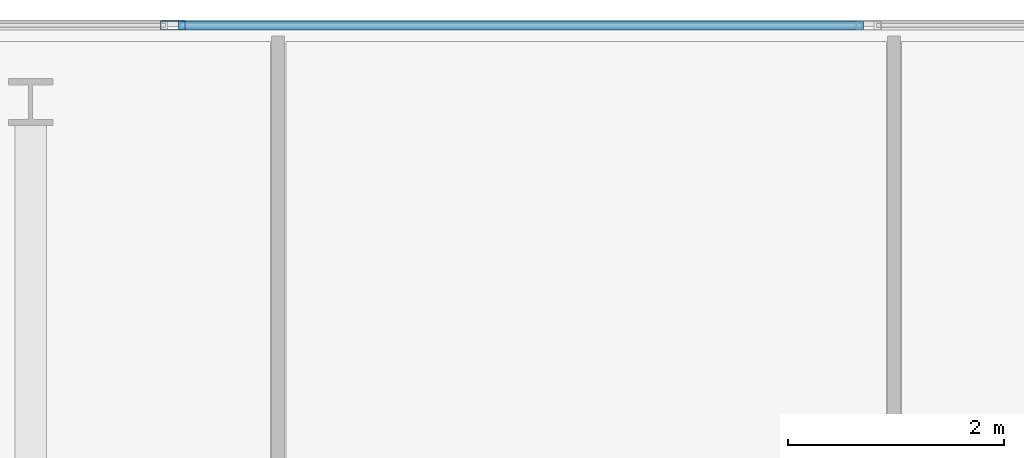
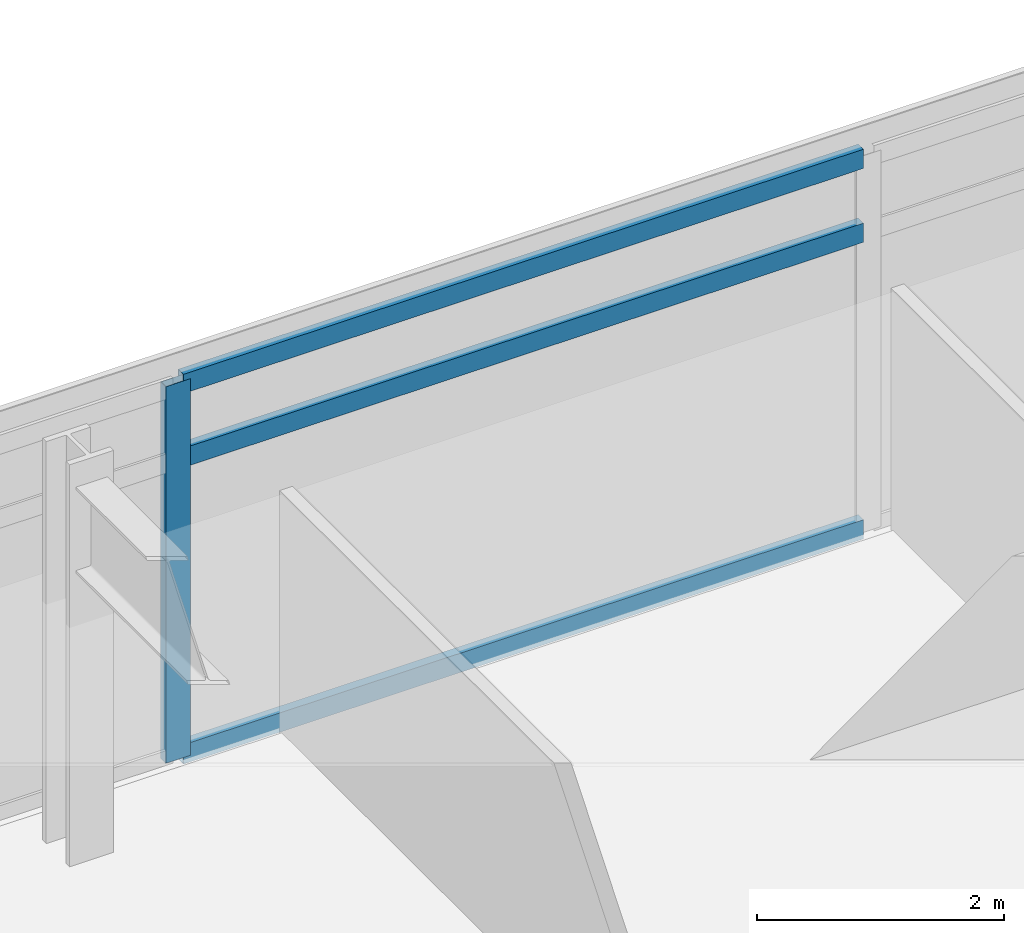
# One storey, part 9 of 24: 4 members, 1 element without a shape of its own.
"""IFC4 building model written with IfcOpenShell, lengths in metres."""

from ifc_helpers import new_model, si_unit, direction, frame, origin, origin_2d, place, context, subcontext, project, spatial, hollow_rectangle, extrude, material, material_profile, profile_set, type_object, element, aggregate, save


model = new_model("IFC4")

# Units and contexts
model_context = context("Model", 3, precision=1e-05, world=origin(), true_north=direction((0.0, 1.0)))
body_context = subcontext(model_context, "Body", "Model", "MODEL_VIEW")
ifc_project = project(units=[si_unit("LENGTHUNIT", "METRE"), si_unit("AREAUNIT", "SQUARE_METRE"), si_unit("VOLUMEUNIT", "CUBIC_METRE"), si_unit("PLANEANGLEUNIT", "RADIAN"), si_unit("MASSUNIT", "GRAM", prefix="KILO")], contexts=[model_context])

# Site, building, storey
site_placement = place(None, origin())
site = spatial("IfcSite", under=ifc_project, at=site_placement, CompositionType="ELEMENT")
building_placement = place(site_placement, origin())
building = spatial("IfcBuilding", under=site, at=building_placement, Name="Kovane Verandah Tower", CompositionType="ELEMENT")
storey_placement = place(building_placement, frame((0.0, 0.0, 95.60009765625)))
storey = spatial("IfcBuildingStorey", under=building, at=storey_placement, Name="L22", CompositionType="ELEMENT", Elevation=95.60009765625)

# Curtain wall, members
ifc_material_1 = material(Name="Champagne Anodised Aluminium Frame with Low-E Clear Laminated Glass", Category="aluminium")
curtain_wall_type = type_object("IfcCurtainWallType", Name="CW-SYS-02-LOW", PredefinedType="NOTDEFINED", material=ifc_material_1)
curtain_wall_placement = place(storey_placement, origin())
curtain_wall = element("IfcCurtainWall", 1, at=curtain_wall_placement, inside=storey, type_object=curtain_wall_type, Name="L22 N Unitised Curtain Wall", PredefinedType="NOTDEFINED")
ifc_material_2 = material(Name="Champagne Anodised Aluminium 6063-T6", Category="aluminium")
ifc_material_profile_1 = material_profile(ifc_material_2, hollow_rectangle(XDim=0.0849609375, YDim=0.22998046875, WallThickness=0.00390625, at=origin_2d()), Name="AL85x230x4")
ifc_profile_set_1 = profile_set([ifc_material_profile_1], Name="Champagne Anodised Aluminium 6063-T6")
member_type_1 = type_object("IfcMemberType", Name="CW-MUL-85x230", PredefinedType="MULLION", material=ifc_profile_set_1)
member_1_placement = place(storey_placement, frame((30.31982421875, 50.2109375, 0.02001953125), z_axis=(0.0, 0.0, 1.0), x_axis=(0.0, 1.0, 0.0)))
member_1 = element("IfcMember", 2, at=member_1_placement, type_object=member_type_1, Name="L22 N Unitised Curtain Wall Mullion 6", PredefinedType="MULLION", context=body_context, shape_type="SweptSolid", body=[
    extrude(hollow_rectangle(XDim=0.0849609375, YDim=0.22998046875, WallThickness=0.00390625, at=origin_2d()), origin(), (0.0, 0.0, 1.0), 3.719970703125),
])
ifc_material_profile_2 = material_profile(ifc_material_2, hollow_rectangle(XDim=0.0849609375, YDim=0.18994140625, WallThickness=0.00390625, at=origin_2d()), Name="AL85x190x4")
ifc_profile_set_2 = profile_set([ifc_material_profile_2], Name="Champagne Anodised Aluminium 6063-T6")
member_type_2 = type_object("IfcMemberType", Name="CW-TRN-85x190", PredefinedType="USERDEFINED", material=ifc_profile_set_2)
member_2_placement = place(storey_placement, frame((36.723388671875, 50.2109375, 0.0498046875), z_axis=(-1.0, 0.0, 0.0), x_axis=(0.0, -1.0, 0.0)))
member_2 = element("IfcMember", 3, at=member_2_placement, type_object=member_type_2, Name="L22 N Unitised Curtain Wall Transom TB Bay 5", ObjectType="TRANSOM", PredefinedType="USERDEFINED", context=body_context, shape_type="SweptSolid", body=[
    extrude(hollow_rectangle(XDim=0.0849609375, YDim=0.18994140625, WallThickness=0.00390625, at=origin_2d()), origin(), (0.0, 0.0, 1.0), 6.353515625),
])
member_3_placement = place(storey_placement, frame((36.723388671875, 50.2109375, 2.97998046875), z_axis=(-1.0, 0.0, 0.0), x_axis=(0.0, -1.0, 0.0)))
member_3 = element("IfcMember", 4, at=member_3_placement, type_object=member_type_2, Name="L22 N Unitised Curtain Wall Transom TM Bay 5", ObjectType="TRANSOM", PredefinedType="USERDEFINED", context=body_context, shape_type="SweptSolid", body=[
    extrude(hollow_rectangle(XDim=0.0849609375, YDim=0.18994140625, WallThickness=0.00390625, at=origin_2d()), origin(), (0.0, 0.0, 1.0), 6.353515625),
])
member_4_placement = place(storey_placement, frame((36.723388671875, 50.2109375, 3.7099609375), z_axis=(-1.0, 0.0, 0.0), x_axis=(0.0, -1.0, 0.0)))
member_4 = element("IfcMember", 5, at=member_4_placement, type_object=member_type_2, Name="L22 N Unitised Curtain Wall Transom TT Bay 5", ObjectType="TRANSOM", PredefinedType="USERDEFINED", context=body_context, shape_type="SweptSolid", body=[
    extrude(hollow_rectangle(XDim=0.0849609375, YDim=0.18994140625, WallThickness=0.00390625, at=origin_2d()), origin(), (0.0, 0.0, 1.0), 6.353515625),
])
aggregate(curtain_wall, [member_1, member_2, member_3, member_4])

save(model, "model.ifc")
